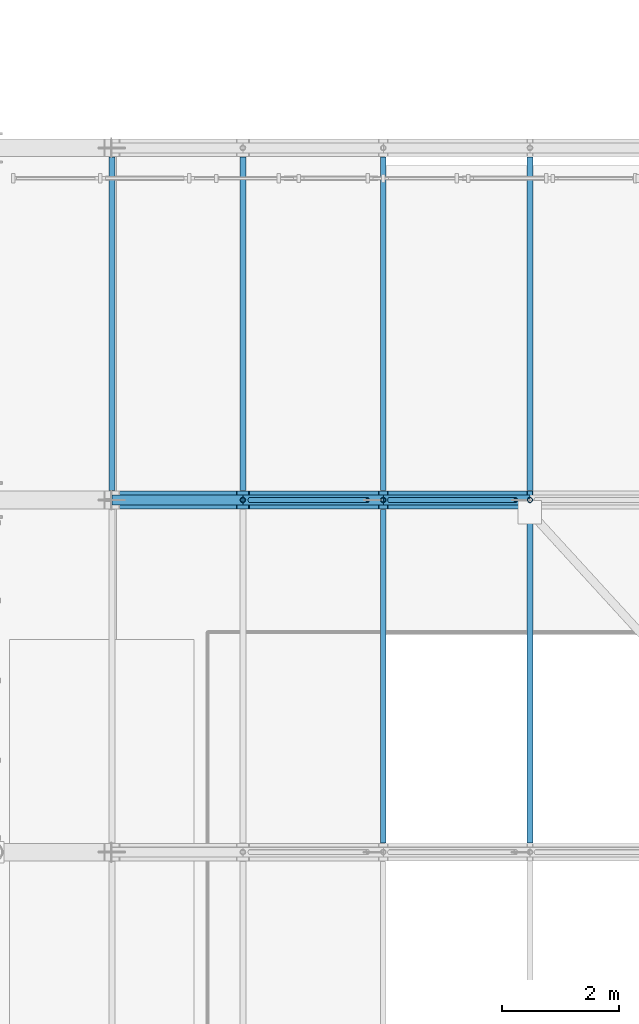
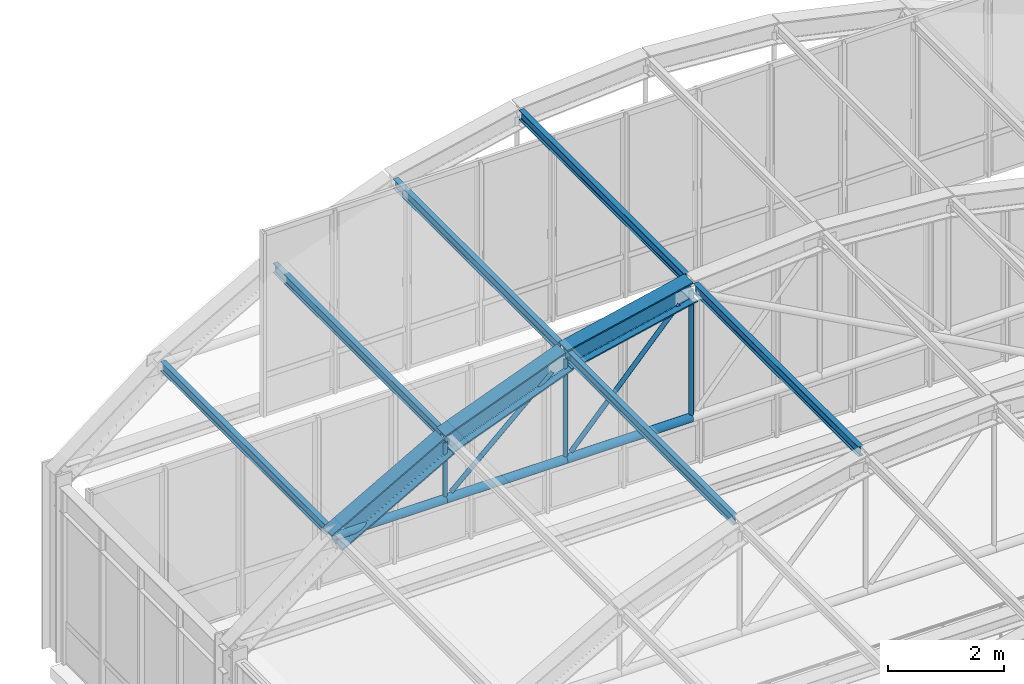
# One storey, part 76 of 148: 9 beams, 8 members.
"""IFC4 building model written with IfcOpenShell, lengths in metres."""

from ifc_helpers import new_model, si_unit, direction, frame, origin, origin_2d, place, context, subcontext, project, spatial, hollow_circle, i_section, extrude, material, material_profile, profile_set, type_object, element, save


model = new_model("IFC4")

# Units and contexts
model_context = context("Model", 3, precision=1e-05, world=origin(), true_north=direction((0.0, 1.0)))
body_context = subcontext(model_context, "Body", "Model", "MODEL_VIEW")
ifc_project = project(units=[si_unit("LENGTHUNIT", "METRE"), si_unit("AREAUNIT", "SQUARE_METRE"), si_unit("VOLUMEUNIT", "CUBIC_METRE"), si_unit("PLANEANGLEUNIT", "RADIAN"), si_unit("MASSUNIT", "GRAM", prefix="KILO"), si_unit("THERMODYNAMICTEMPERATUREUNIT", "KELVIN"), si_unit("POWERUNIT", "WATT")], contexts=[model_context])

# Site, building, storey
site_placement = place(None, origin())
site = spatial("IfcSite", under=ifc_project, at=site_placement, CompositionType="ELEMENT")
building_placement = place(site_placement, origin())
building = spatial("IfcBuilding", under=site, at=building_placement, Name="Solvatero Civic Police Headquarters", CompositionType="ELEMENT")
storey_placement = place(building_placement, frame((0.0, 0.0, 5.10009765625)))
storey = spatial("IfcBuildingStorey", under=building, at=storey_placement, Name="L01", CompositionType="ELEMENT", Elevation=5.10009765625)

# Beams
ifc_material = material(Name="Steel S355", Category="steel")
ifc_material_profile_1 = material_profile(ifc_material, i_section(OverallWidth=0.300048828125, OverallDepth=0.449951171875, WebThickness=0.013916015625, FlangeThickness=0.02587890625, FilletRadius=0.027099609375, at=origin_2d()), Name="HEB 450")
ifc_profile_set_1 = profile_set([ifc_material_profile_1], Name="Steel S355")
beam_type_1 = type_object("IfcBeamType", Name="BM-ST-HEB450", PredefinedType="BEAM", material=ifc_profile_set_1)
for number, where, z_axis, x_axis, name in (
    (1, (100.822509765625, 40.800048828125, 5.330322265625), (0.870765086908, 0.0, 0.491699261156), (0.0, 1.0, 0.0), "VLT1 Tied-Arch Vault Top Chord F7.2"),
    (2, (103.053466796875, 40.800048828125, 6.619873046875), (0.933355429458, 0.0, 0.358953537802), (0.0, 1.0, 0.0), "VLT1 Tied-Arch Vault Top Chord F7.3"),
):
    element("IfcBeam", number, at=place(storey_placement, frame(where, z_axis=z_axis, x_axis=x_axis)), inside=storey, type_object=beam_type_1, Name=name, PredefinedType="BEAM", context=body_context, shape_type="SweptSolid", body=[
        extrude(i_section(OverallWidth=0.300048828125, OverallDepth=0.449951171875, WebThickness=0.013916015625, FlangeThickness=0.02587890625, FilletRadius=0.027099609375, at=origin_2d()), origin(), (0.0, 0.0, 1.0), 2.56201171875),
    ])
beam_placement = place(storey_placement, frame((105.44482421875, 40.800048828125, 7.5576171875), z_axis=(0.975854055758, 0.0, 0.218423583574), x_axis=(0.0, 1.0, 0.0)))
element("IfcBeam", 3, at=beam_placement, inside=storey, type_object=beam_type_1, Name="VLT1 Tied-Arch Vault Top Chord F7.4", PredefinedType="BEAM", context=body_context, shape_type="SweptSolid", body=[
    extrude(i_section(OverallWidth=0.300048828125, OverallDepth=0.449951171875, WebThickness=0.013916015625, FlangeThickness=0.02587890625, FilletRadius=0.027099609375, at=origin_2d()), origin(), (0.0, 0.0, 1.0), 2.561767578125),
])
ifc_material_profile_2 = material_profile(ifc_material, i_section(OverallWidth=0.10009765625, OverallDepth=0.199951171875, WebThickness=0.005615234375, FlangeThickness=0.008544921875, FilletRadius=0.011962890625, at=origin_2d()), Name="IPE 200")
ifc_profile_set_2 = profile_set([ifc_material_profile_2], Name="Steel S355")
beam_type_2 = type_object("IfcBeamType", Name="BM-ST-IPE200", PredefinedType="JOIST", material=ifc_profile_set_2)
for number, where, z_axis, x_axis, name in (
    (4, (105.44482421875, 34.9580078125, 7.65576171875), (0.0, 1.0, 0.0), (-1.0, 0.0, 0.0), "VLT1 Vault Roof Purlin B6.3"),
    (5, (107.94482421875, 34.9580078125, 8.222900390625), (0.0, 1.0, 0.0), (-1.0, 0.0, 0.0), "VLT1 Vault Roof Purlin B6.4"),
    (6, (100.822509765625, 40.9580078125, 5.4326171875), (0.0, 1.0, 0.0), (-1.0, 0.0, 0.0), "VLT1 Vault Roof Purlin B7.1"),
    (7, (103.053466796875, 40.9580078125, 6.721435546875), (0.0, 1.0, 0.0), (-1.0, 0.0, 0.0), "VLT1 Vault Roof Purlin B7.2"),
    (8, (105.44482421875, 40.9580078125, 7.65576171875), (0.0, 1.0, 0.0), (-1.0, 0.0, 0.0), "VLT1 Vault Roof Purlin B7.3"),
    (9, (107.94482421875, 40.9580078125, 8.222900390625), (0.0, 1.0, 0.0), (-1.0, 0.0, 0.0), "VLT1 Vault Roof Purlin B7.4"),
):
    element("IfcBeam", number, at=place(storey_placement, frame(where, z_axis=z_axis, x_axis=x_axis)), inside=storey, type_object=beam_type_2, Name=name, PredefinedType="JOIST", context=body_context, shape_type="SweptSolid", body=[
        extrude(i_section(OverallWidth=0.10009765625, OverallDepth=0.199951171875, WebThickness=0.005615234375, FlangeThickness=0.008544921875, FilletRadius=0.011962890625, at=origin_2d()), origin(), (0.0, 0.0, 1.0), 5.68408203125),
    ])

# Members
ifc_material_profile_3 = material_profile(ifc_material, hollow_circle(Radius=0.04443359375, WallThickness=0.00634765625, at=origin_2d()), Name="CHS 88.9x6.3")
ifc_profile_set_3 = profile_set([ifc_material_profile_3], Name="Steel S355")
member_type_1 = type_object("IfcMemberType", Name="MB-HNG-CHS89", PredefinedType="STRUT", material=ifc_profile_set_3)
member_1_placement = place(storey_placement, frame((103.171875, 40.800048828125, 5.49951171875), z_axis=(0.739076960519, 0.0, 0.673620996132), x_axis=(0.0, 1.0, 0.0)))
element("IfcMember", 10, at=member_1_placement, inside=storey, type_object=member_type_1, Name="VLT1 Vault Truss Diagonal Web F7.2", PredefinedType="STRUT", context=body_context, shape_type="SweptSolid", body=[
    extrude(hollow_circle(Radius=0.04443359375, WallThickness=0.00634765625, at=origin_2d()), origin(), (0.0, 0.0, 1.0), 2.71533203125),
])
member_2_placement = place(storey_placement, frame((105.552734375, 40.800048828125, 5.509765625), z_axis=(0.674096872288, 0.0, 0.73864294945), x_axis=(0.0, 1.0, 0.0)))
element("IfcMember", 11, at=member_2_placement, inside=storey, type_object=member_type_1, Name="VLT1 Vault Truss Diagonal Web F7.3", PredefinedType="STRUT", context=body_context, shape_type="SweptSolid", body=[
    extrude(hollow_circle(Radius=0.04443359375, WallThickness=0.00634765625, at=origin_2d()), origin(), (0.0, 0.0, 1.0), 3.1884765625),
])
member_3_placement = place(storey_placement, frame((103.053466796875, 40.800048828125, 5.431640625), z_axis=(0.0, 0.0, 1.0), x_axis=(1.0, 0.0, 0.0)))
element("IfcMember", 12, at=member_3_placement, inside=storey, type_object=member_type_1, Name="VLT1 Vault Vertical Hanger F7.2", PredefinedType="STRUT", context=body_context, shape_type="SweptSolid", body=[
    extrude(hollow_circle(Radius=0.04443359375, WallThickness=0.00634765625, at=origin_2d()), origin(), (0.0, 0.0, 1.0), 1.169677734375),
])
member_4_placement = place(storey_placement, frame((105.44482421875, 40.800048828125, 5.431640625), z_axis=(0.0, 0.0, 1.0), x_axis=(1.0, 0.0, 0.0)))
element("IfcMember", 13, at=member_4_placement, inside=storey, type_object=member_type_1, Name="VLT1 Vault Vertical Hanger F7.3", PredefinedType="STRUT", context=body_context, shape_type="SweptSolid", body=[
    extrude(hollow_circle(Radius=0.04443359375, WallThickness=0.00634765625, at=origin_2d()), origin(), (0.0, 0.0, 1.0), 2.08935546875),
])
member_5_placement = place(storey_placement, frame((107.94482421875, 40.800048828125, 5.431640625), z_axis=(0.0, 0.0, 1.0), x_axis=(1.0, 0.0, 0.0)))
element("IfcMember", 14, at=member_5_placement, inside=storey, type_object=member_type_1, Name="VLT1 Vault Vertical Hanger F7.4", PredefinedType="STRUT", context=body_context, shape_type="SweptSolid", body=[
    extrude(hollow_circle(Radius=0.04443359375, WallThickness=0.00634765625, at=origin_2d()), origin(), (0.0, 0.0, 1.0), 2.649169921875),
])
ifc_material_profile_4 = material_profile(ifc_material, hollow_circle(Radius=0.084228515625, WallThickness=0.010009765625, at=origin_2d()), Name="CHS 168.3x10.0")
ifc_profile_set_4 = profile_set([ifc_material_profile_4], Name="Steel S355")
member_type_2 = type_object("IfcMemberType", Name="MB-TIE-CHS168", PredefinedType="CHORD", material=ifc_profile_set_4)
member_6_placement = place(storey_placement, frame((100.822509765625, 40.800048828125, 5.3916015625), z_axis=(1.0, 0.0, 0.0), x_axis=(0.0, 1.0, 0.0)))
element("IfcMember", 15, at=member_6_placement, inside=storey, type_object=member_type_2, Name="VLT1 Vault Horizontal Tie Chord F7.1", PredefinedType="CHORD", context=body_context, shape_type="SweptSolid", body=[
    extrude(hollow_circle(Radius=0.084228515625, WallThickness=0.010009765625, at=origin_2d()), origin(), (0.0, 0.0, 1.0), 2.23095703125),
])
member_7_placement = place(storey_placement, frame((103.053466796875, 40.800048828125, 5.3916015625), z_axis=(1.0, 0.0, 0.0), x_axis=(0.0, 1.0, 0.0)))
element("IfcMember", 16, at=member_7_placement, inside=storey, type_object=member_type_2, Name="VLT1 Vault Horizontal Tie Chord F7.2", PredefinedType="CHORD", context=body_context, shape_type="SweptSolid", body=[
    extrude(hollow_circle(Radius=0.084228515625, WallThickness=0.010009765625, at=origin_2d()), origin(), (0.0, 0.0, 1.0), 2.391357421875),
])
member_8_placement = place(storey_placement, frame((105.44482421875, 40.800048828125, 5.3916015625), z_axis=(1.0, 0.0, 0.0), x_axis=(0.0, 1.0, 0.0)))
element("IfcMember", 17, at=member_8_placement, inside=storey, type_object=member_type_2, Name="VLT1 Vault Horizontal Tie Chord F7.3", PredefinedType="CHORD", context=body_context, shape_type="SweptSolid", body=[
    extrude(hollow_circle(Radius=0.084228515625, WallThickness=0.010009765625, at=origin_2d()), origin(), (0.0, 0.0, 1.0), 2.5),
])

save(model, "model.ifc")
